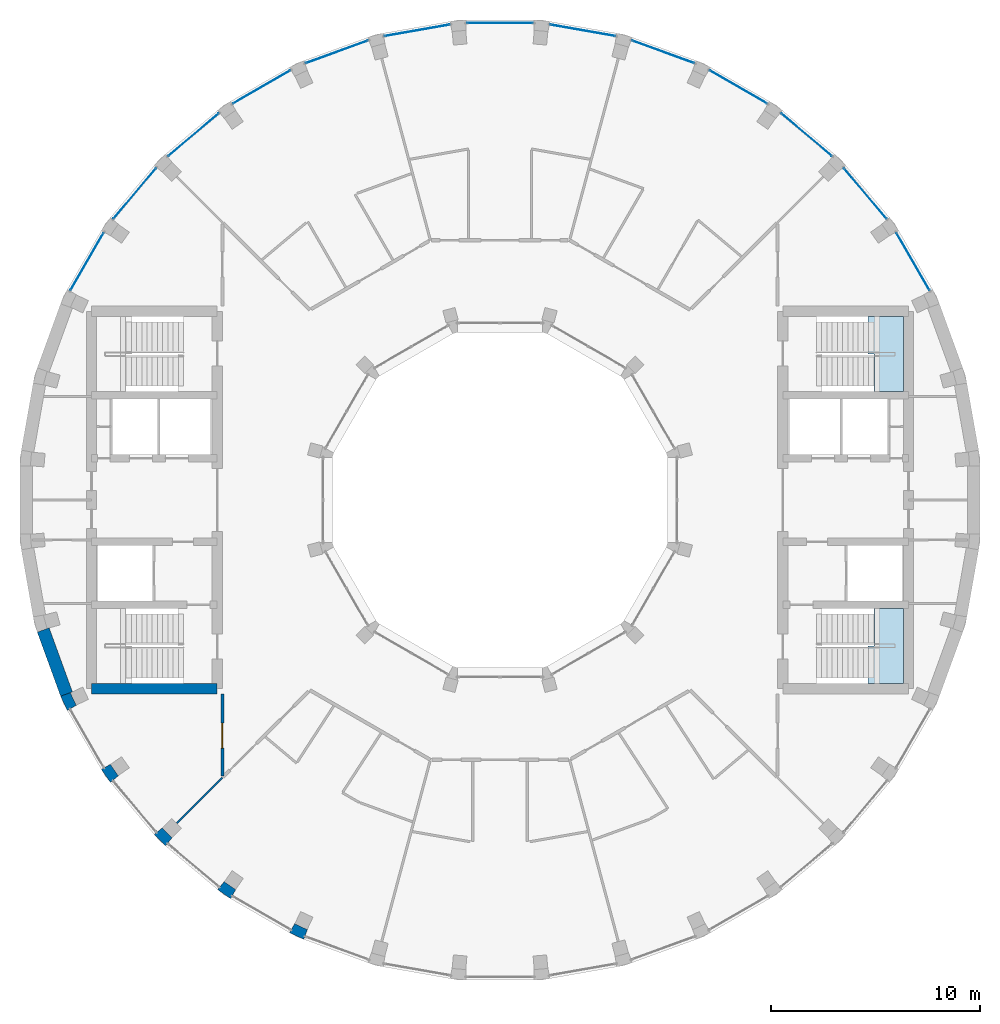
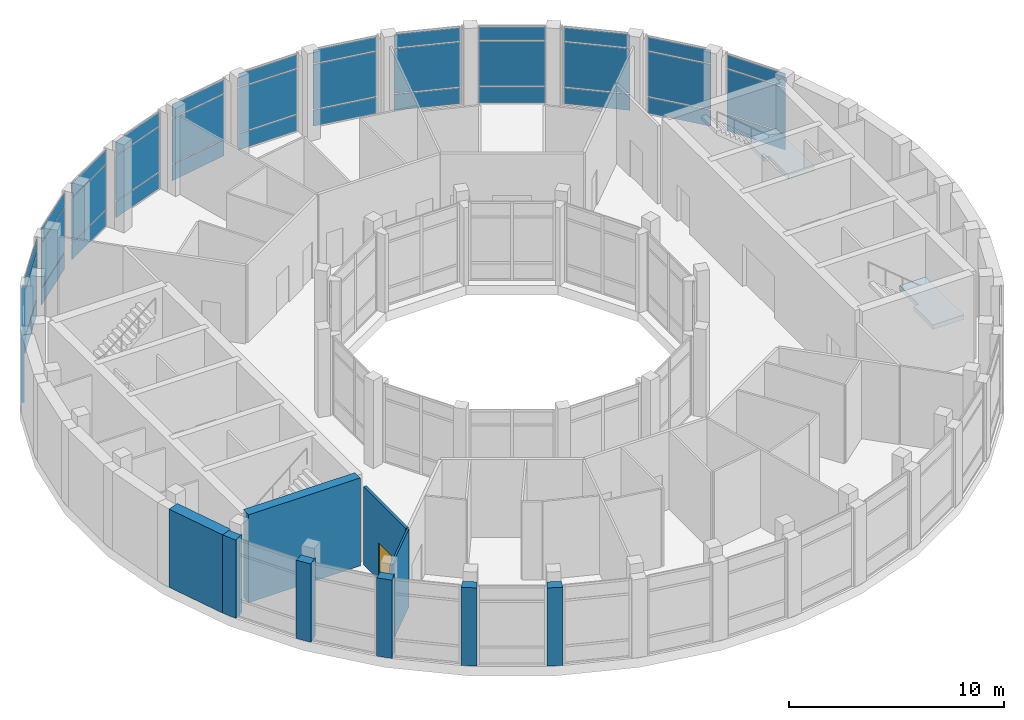
# One storey, part 10 of 16: 39 plates, 9 walls, 2 slabs, 1 door, 1 opening, 15 elements without a shape of their own.
"""IFC4 building model written with IfcOpenShell, lengths in metres."""

from ifc_helpers import new_model, si_unit, direction, frame, frame_2d, origin, origin_2d, place, context, subcontext, project, spatial, polyline, rectangle, outline, extrude, material, layer, layer_set, type_object, element, fill, aggregate, save


model = new_model("IFC4")

# Units and contexts
model_context = context("Model", 3, precision=1e-05, world=origin(), true_north=direction((0.0, 1.0)))
body_context = subcontext(model_context, "Body", "Model", "MODEL_VIEW")
ifc_project = project(units=[si_unit("LENGTHUNIT", "METRE"), si_unit("AREAUNIT", "SQUARE_METRE"), si_unit("VOLUMEUNIT", "CUBIC_METRE"), si_unit("PLANEANGLEUNIT", "RADIAN"), si_unit("MASSUNIT", "GRAM", prefix="KILO")], contexts=[model_context])

# Site, building, storey
site_placement = place(None, origin())
site = spatial("IfcSite", under=ifc_project, at=site_placement, CompositionType="ELEMENT")
building_placement = place(site_placement, origin())
building = spatial("IfcBuilding", under=site, at=building_placement, Name="Saqina Gate Tower", CompositionType="ELEMENT")
storey_placement = place(building_placement, frame((0.0, 0.0, 279.199951171875)))
storey = spatial("IfcBuildingStorey", under=building, at=storey_placement, Name="L80", CompositionType="ELEMENT", Elevation=279.199951171875)

# Curtain wall, plates
ifc_material_1 = material(Name="Aluminium glazing", Category="aluminium")
ifc_layer_1 = layer(ifc_material_1, 0.159912109375)
ifc_layer_set_1 = layer_set([ifc_layer_1], Name="CWT-2")
curtain_wall_type = type_object("IfcCurtainWallType", Name="CWT-2", PredefinedType="NOTDEFINED", material=ifc_layer_set_1)
curtain_wall_1_placement = place(storey_placement, origin())
curtain_wall_1 = element("IfcCurtainWall", 1, at=curtain_wall_1_placement, inside=storey, type_object=curtain_wall_type, Name="Sky lounge glazing facet 3", PredefinedType="NOTDEFINED")
ifc_material_2 = material(Name="Glass", Category="glass")
ifc_layer_2 = layer(ifc_material_2, 0.028076171875)
ifc_layer_set_2 = layer_set([ifc_layer_2], Name="CWT-2P")
plate_type = type_object("IfcPlateType", Name="CWT-2P", PredefinedType="CURTAIN_PANEL", material=ifc_layer_set_2)
plate_1_placement = place(storey_placement, frame((19.712890625, 11.38134765625, 0.06005859375), z_axis=(0.0, 0.0, 1.0), x_axis=(-0.499982449212, 0.8660355365, 0.0)))
plate_1 = element("IfcPlate", 2, at=plate_1_placement, type_object=plate_type, Name="CW2-03 panel 1.1", PredefinedType="CURTAIN_PANEL", context=body_context, shape_type="SweptSolid", body=[
    extrude(rectangle(XDim=3.1318359375, YDim=0.028076171875, at=origin_2d()), origin(), (0.0, 0.0, 1.0), 0.909912109375),
])
plate_2_placement = place(storey_placement, frame((19.712890625, 11.38134765625, 1.030029296875), z_axis=(0.0, 0.0, 1.0), x_axis=(-0.499982449212, 0.8660355365, 0.0)))
plate_2 = element("IfcPlate", 3, at=plate_2_placement, type_object=plate_type, Name="CW2-03 panel 1.2", PredefinedType="CURTAIN_PANEL", context=body_context, shape_type="SweptSolid", body=[
    extrude(rectangle(XDim=3.1318359375, YDim=0.028076171875, at=origin_2d()), origin(), (0.0, 0.0, 1.0), 2.5400390625),
])
plate_3_placement = place(storey_placement, frame((19.712890625, 11.38134765625, 3.6298828125), z_axis=(0.0, 0.0, 1.0), x_axis=(-0.499982449212, 0.8660355365, 0.0)))
plate_3 = element("IfcPlate", 4, at=plate_3_placement, type_object=plate_type, Name="CW2-03 panel 1.3", PredefinedType="CURTAIN_PANEL", context=body_context, shape_type="SweptSolid", body=[
    extrude(rectangle(XDim=3.1318359375, YDim=0.028076171875, at=origin_2d()), origin(), (0.0, 0.0, 1.0), 0.760009765625),
])
aggregate(curtain_wall_1, [plate_1, plate_2, plate_3])

curtain_wall_2_placement = place(storey_placement, origin())
curtain_wall_2 = element("IfcCurtainWall", 5, at=curtain_wall_2_placement, inside=storey, type_object=curtain_wall_type, Name="Sky lounge glazing facet 4", PredefinedType="NOTDEFINED")
plate_4_placement = place(storey_placement, frame((17.43701171875, 14.63134765625, 0.06005859375), z_axis=(0.0, 0.0, 1.0), x_axis=(-0.642785214609, 0.766046452821, 0.0)))
plate_4 = element("IfcPlate", 6, at=plate_4_placement, type_object=plate_type, Name="CW2-04 panel 1.1", PredefinedType="CURTAIN_PANEL", context=body_context, shape_type="SweptSolid", body=[
    extrude(rectangle(XDim=3.131591796875, YDim=0.028076171875, at=origin_2d()), origin(), (0.0, 0.0, 1.0), 0.909912109375),
])
plate_5_placement = place(storey_placement, frame((17.43701171875, 14.63134765625, 1.030029296875), z_axis=(0.0, 0.0, 1.0), x_axis=(-0.642785214609, 0.766046452821, 0.0)))
plate_5 = element("IfcPlate", 7, at=plate_5_placement, type_object=plate_type, Name="CW2-04 panel 1.2", PredefinedType="CURTAIN_PANEL", context=body_context, shape_type="SweptSolid", body=[
    extrude(rectangle(XDim=3.131591796875, YDim=0.028076171875, at=origin_2d()), origin(), (0.0, 0.0, 1.0), 2.5400390625),
])
plate_6_placement = place(storey_placement, frame((17.43701171875, 14.63134765625, 3.6298828125), z_axis=(0.0, 0.0, 1.0), x_axis=(-0.642785214609, 0.766046452821, 0.0)))
plate_6 = element("IfcPlate", 8, at=plate_6_placement, type_object=plate_type, Name="CW2-04 panel 1.3", PredefinedType="CURTAIN_PANEL", context=body_context, shape_type="SweptSolid", body=[
    extrude(rectangle(XDim=3.131591796875, YDim=0.028076171875, at=origin_2d()), origin(), (0.0, 0.0, 1.0), 0.760009765625),
])
aggregate(curtain_wall_2, [plate_4, plate_5, plate_6])

curtain_wall_3_placement = place(storey_placement, origin())
curtain_wall_3 = element("IfcCurtainWall", 9, at=curtain_wall_3_placement, inside=storey, type_object=curtain_wall_type, Name="Sky lounge glazing facet 5", PredefinedType="NOTDEFINED")
plate_7_placement = place(storey_placement, frame((14.63134765625, 17.43701171875, 0.06005859375), z_axis=(0.0, 0.0, 1.0), x_axis=(-0.766046452821, 0.642785214609, 0.0)))
plate_7 = element("IfcPlate", 10, at=plate_7_placement, type_object=plate_type, Name="CW2-05 panel 1.1", PredefinedType="CURTAIN_PANEL", context=body_context, shape_type="SweptSolid", body=[
    extrude(rectangle(XDim=3.131591796875, YDim=0.028076171875, at=origin_2d()), origin(), (0.0, 0.0, 1.0), 0.909912109375),
])
plate_8_placement = place(storey_placement, frame((14.63134765625, 17.43701171875, 1.030029296875), z_axis=(0.0, 0.0, 1.0), x_axis=(-0.766046452821, 0.642785214609, 0.0)))
plate_8 = element("IfcPlate", 11, at=plate_8_placement, type_object=plate_type, Name="CW2-05 panel 1.2", PredefinedType="CURTAIN_PANEL", context=body_context, shape_type="SweptSolid", body=[
    extrude(rectangle(XDim=3.131591796875, YDim=0.028076171875, at=origin_2d()), origin(), (0.0, 0.0, 1.0), 2.5400390625),
])
plate_9_placement = place(storey_placement, frame((14.63134765625, 17.43701171875, 3.6298828125), z_axis=(0.0, 0.0, 1.0), x_axis=(-0.766046452821, 0.642785214609, 0.0)))
plate_9 = element("IfcPlate", 12, at=plate_9_placement, type_object=plate_type, Name="CW2-05 panel 1.3", PredefinedType="CURTAIN_PANEL", context=body_context, shape_type="SweptSolid", body=[
    extrude(rectangle(XDim=3.131591796875, YDim=0.028076171875, at=origin_2d()), origin(), (0.0, 0.0, 1.0), 0.760009765625),
])
aggregate(curtain_wall_3, [plate_7, plate_8, plate_9])

curtain_wall_4_placement = place(storey_placement, origin())
curtain_wall_4 = element("IfcCurtainWall", 13, at=curtain_wall_4_placement, inside=storey, type_object=curtain_wall_type, Name="Sky lounge glazing facet 6", PredefinedType="NOTDEFINED")
plate_10_placement = place(storey_placement, frame((11.38134765625, 19.712890625, 0.06005859375), z_axis=(0.0, 0.0, 1.0), x_axis=(-0.8660355365, 0.499982449212, 0.0)))
plate_10 = element("IfcPlate", 14, at=plate_10_placement, type_object=plate_type, Name="CW2-06 panel 1.1", PredefinedType="CURTAIN_PANEL", context=body_context, shape_type="SweptSolid", body=[
    extrude(rectangle(XDim=3.1318359375, YDim=0.028076171875, at=origin_2d()), origin(), (0.0, 0.0, 1.0), 0.909912109375),
])
plate_11_placement = place(storey_placement, frame((11.38134765625, 19.712890625, 1.030029296875), z_axis=(0.0, 0.0, 1.0), x_axis=(-0.8660355365, 0.499982449212, 0.0)))
plate_11 = element("IfcPlate", 15, at=plate_11_placement, type_object=plate_type, Name="CW2-06 panel 1.2", PredefinedType="CURTAIN_PANEL", context=body_context, shape_type="SweptSolid", body=[
    extrude(rectangle(XDim=3.1318359375, YDim=0.028076171875, at=origin_2d()), origin(), (0.0, 0.0, 1.0), 2.5400390625),
])
plate_12_placement = place(storey_placement, frame((11.38134765625, 19.712890625, 3.6298828125), z_axis=(0.0, 0.0, 1.0), x_axis=(-0.8660355365, 0.499982449212, 0.0)))
plate_12 = element("IfcPlate", 16, at=plate_12_placement, type_object=plate_type, Name="CW2-06 panel 1.3", PredefinedType="CURTAIN_PANEL", context=body_context, shape_type="SweptSolid", body=[
    extrude(rectangle(XDim=3.1318359375, YDim=0.028076171875, at=origin_2d()), origin(), (0.0, 0.0, 1.0), 0.760009765625),
])
aggregate(curtain_wall_4, [plate_10, plate_11, plate_12])

curtain_wall_5_placement = place(storey_placement, origin())
curtain_wall_5 = element("IfcCurtainWall", 17, at=curtain_wall_5_placement, inside=storey, type_object=curtain_wall_type, Name="Sky lounge glazing facet 7", PredefinedType="NOTDEFINED")
plate_13_placement = place(storey_placement, frame((7.78515625, 21.3896484375, 0.06005859375), z_axis=(0.0, 0.0, 1.0), x_axis=(-0.939697310402, 0.342007258437, 0.0)))
plate_13 = element("IfcPlate", 18, at=plate_13_placement, type_object=plate_type, Name="CW2-07 panel 1.1", PredefinedType="CURTAIN_PANEL", context=body_context, shape_type="SweptSolid", body=[
    extrude(rectangle(XDim=3.131591796875, YDim=0.028076171875, at=origin_2d()), origin(), (0.0, 0.0, 1.0), 0.909912109375),
])
plate_14_placement = place(storey_placement, frame((7.78515625, 21.3896484375, 1.030029296875), z_axis=(0.0, 0.0, 1.0), x_axis=(-0.939697310402, 0.342007258437, 0.0)))
plate_14 = element("IfcPlate", 19, at=plate_14_placement, type_object=plate_type, Name="CW2-07 panel 1.2", PredefinedType="CURTAIN_PANEL", context=body_context, shape_type="SweptSolid", body=[
    extrude(rectangle(XDim=3.131591796875, YDim=0.028076171875, at=origin_2d()), origin(), (0.0, 0.0, 1.0), 2.5400390625),
])
plate_15_placement = place(storey_placement, frame((7.78515625, 21.3896484375, 3.6298828125), z_axis=(0.0, 0.0, 1.0), x_axis=(-0.939697310402, 0.342007258437, 0.0)))
plate_15 = element("IfcPlate", 20, at=plate_15_placement, type_object=plate_type, Name="CW2-07 panel 1.3", PredefinedType="CURTAIN_PANEL", context=body_context, shape_type="SweptSolid", body=[
    extrude(rectangle(XDim=3.131591796875, YDim=0.028076171875, at=origin_2d()), origin(), (0.0, 0.0, 1.0), 0.760009765625),
])
aggregate(curtain_wall_5, [plate_13, plate_14, plate_15])

curtain_wall_6_placement = place(storey_placement, origin())
curtain_wall_6 = element("IfcCurtainWall", 21, at=curtain_wall_6_placement, inside=storey, type_object=curtain_wall_type, Name="Sky lounge glazing facet 8", PredefinedType="NOTDEFINED")
plate_16_placement = place(storey_placement, frame((3.95263671875, 22.416748046875, 0.06005859375), z_axis=(0.0, 0.0, 1.0), x_axis=(-0.984805222779, 0.173662526718, 0.0)))
plate_16 = element("IfcPlate", 22, at=plate_16_placement, type_object=plate_type, Name="CW2-08 panel 1.1", PredefinedType="CURTAIN_PANEL", context=body_context, shape_type="SweptSolid", body=[
    extrude(rectangle(XDim=3.131591796875, YDim=0.028076171875, at=origin_2d()), origin(), (0.0, 0.0, 1.0), 0.909912109375),
])
plate_17_placement = place(storey_placement, frame((3.95263671875, 22.416748046875, 1.030029296875), z_axis=(0.0, 0.0, 1.0), x_axis=(-0.984805222779, 0.173662526718, 0.0)))
plate_17 = element("IfcPlate", 23, at=plate_17_placement, type_object=plate_type, Name="CW2-08 panel 1.2", PredefinedType="CURTAIN_PANEL", context=body_context, shape_type="SweptSolid", body=[
    extrude(rectangle(XDim=3.131591796875, YDim=0.028076171875, at=origin_2d()), origin(), (0.0, 0.0, 1.0), 2.5400390625),
])
plate_18_placement = place(storey_placement, frame((3.95263671875, 22.416748046875, 3.6298828125), z_axis=(0.0, 0.0, 1.0), x_axis=(-0.984805222779, 0.173662526718, 0.0)))
plate_18 = element("IfcPlate", 24, at=plate_18_placement, type_object=plate_type, Name="CW2-08 panel 1.3", PredefinedType="CURTAIN_PANEL", context=body_context, shape_type="SweptSolid", body=[
    extrude(rectangle(XDim=3.131591796875, YDim=0.028076171875, at=origin_2d()), origin(), (0.0, 0.0, 1.0), 0.760009765625),
])
aggregate(curtain_wall_6, [plate_16, plate_17, plate_18])

curtain_wall_7_placement = place(storey_placement, origin())
curtain_wall_7 = element("IfcCurtainWall", 25, at=curtain_wall_7_placement, inside=storey, type_object=curtain_wall_type, Name="Sky lounge glazing facet 9", PredefinedType="NOTDEFINED")
plate_19_placement = place(storey_placement, frame((0.0, 22.762451171875, 0.06005859375), z_axis=(0.0, 0.0, 1.0), x_axis=(-1.0, 0.0, 0.0)))
plate_19 = element("IfcPlate", 26, at=plate_19_placement, type_object=plate_type, Name="CW2-09 panel 1.1", PredefinedType="CURTAIN_PANEL", context=body_context, shape_type="SweptSolid", body=[
    extrude(rectangle(XDim=3.131591796875, YDim=0.028076171875, at=origin_2d()), origin(), (0.0, 0.0, 1.0), 0.909912109375),
])
plate_20_placement = place(storey_placement, frame((0.0, 22.762451171875, 1.030029296875), z_axis=(0.0, 0.0, 1.0), x_axis=(-1.0, 0.0, 0.0)))
plate_20 = element("IfcPlate", 27, at=plate_20_placement, type_object=plate_type, Name="CW2-09 panel 1.2", PredefinedType="CURTAIN_PANEL", context=body_context, shape_type="SweptSolid", body=[
    extrude(rectangle(XDim=3.131591796875, YDim=0.028076171875, at=origin_2d()), origin(), (0.0, 0.0, 1.0), 2.5400390625),
])
plate_21_placement = place(storey_placement, frame((0.0, 22.762451171875, 3.6298828125), z_axis=(0.0, 0.0, 1.0), x_axis=(-1.0, 0.0, 0.0)))
plate_21 = element("IfcPlate", 28, at=plate_21_placement, type_object=plate_type, Name="CW2-09 panel 1.3", PredefinedType="CURTAIN_PANEL", context=body_context, shape_type="SweptSolid", body=[
    extrude(rectangle(XDim=3.131591796875, YDim=0.028076171875, at=origin_2d()), origin(), (0.0, 0.0, 1.0), 0.760009765625),
])
aggregate(curtain_wall_7, [plate_19, plate_20, plate_21])

curtain_wall_8_placement = place(storey_placement, origin())
curtain_wall_8 = element("IfcCurtainWall", 29, at=curtain_wall_8_placement, inside=storey, type_object=curtain_wall_type, Name="Sky lounge glazing facet 10", PredefinedType="NOTDEFINED")
plate_22_placement = place(storey_placement, frame((-3.95263671875, 22.416748046875, 0.06005859375), z_axis=(0.0, 0.0, 1.0), x_axis=(-0.984805222779, -0.173662526718, 0.0)))
plate_22 = element("IfcPlate", 30, at=plate_22_placement, type_object=plate_type, Name="CW2-10 panel 1.1", PredefinedType="CURTAIN_PANEL", context=body_context, shape_type="SweptSolid", body=[
    extrude(rectangle(XDim=3.131591796875, YDim=0.028076171875, at=origin_2d()), origin(), (0.0, 0.0, 1.0), 0.909912109375),
])
plate_23_placement = place(storey_placement, frame((-3.95263671875, 22.416748046875, 1.030029296875), z_axis=(0.0, 0.0, 1.0), x_axis=(-0.984805222779, -0.173662526718, 0.0)))
plate_23 = element("IfcPlate", 31, at=plate_23_placement, type_object=plate_type, Name="CW2-10 panel 1.2", PredefinedType="CURTAIN_PANEL", context=body_context, shape_type="SweptSolid", body=[
    extrude(rectangle(XDim=3.131591796875, YDim=0.028076171875, at=origin_2d()), origin(), (0.0, 0.0, 1.0), 2.5400390625),
])
plate_24_placement = place(storey_placement, frame((-3.95263671875, 22.416748046875, 3.6298828125), z_axis=(0.0, 0.0, 1.0), x_axis=(-0.984805222779, -0.173662526718, 0.0)))
plate_24 = element("IfcPlate", 32, at=plate_24_placement, type_object=plate_type, Name="CW2-10 panel 1.3", PredefinedType="CURTAIN_PANEL", context=body_context, shape_type="SweptSolid", body=[
    extrude(rectangle(XDim=3.131591796875, YDim=0.028076171875, at=origin_2d()), origin(), (0.0, 0.0, 1.0), 0.760009765625),
])
aggregate(curtain_wall_8, [plate_22, plate_23, plate_24])

curtain_wall_9_placement = place(storey_placement, origin())
curtain_wall_9 = element("IfcCurtainWall", 33, at=curtain_wall_9_placement, inside=storey, type_object=curtain_wall_type, Name="Sky lounge glazing facet 11", PredefinedType="NOTDEFINED")
plate_25_placement = place(storey_placement, frame((-7.78515625, 21.3896484375, 0.06005859375), z_axis=(0.0, 0.0, 1.0), x_axis=(-0.939697310402, -0.342007258437, 0.0)))
plate_25 = element("IfcPlate", 34, at=plate_25_placement, type_object=plate_type, Name="CW2-11 panel 1.1", PredefinedType="CURTAIN_PANEL", context=body_context, shape_type="SweptSolid", body=[
    extrude(rectangle(XDim=3.131591796875, YDim=0.028076171875, at=origin_2d()), origin(), (0.0, 0.0, 1.0), 0.909912109375),
])
plate_26_placement = place(storey_placement, frame((-7.78515625, 21.3896484375, 1.030029296875), z_axis=(0.0, 0.0, 1.0), x_axis=(-0.939697310402, -0.342007258437, 0.0)))
plate_26 = element("IfcPlate", 35, at=plate_26_placement, type_object=plate_type, Name="CW2-11 panel 1.2", PredefinedType="CURTAIN_PANEL", context=body_context, shape_type="SweptSolid", body=[
    extrude(rectangle(XDim=3.131591796875, YDim=0.028076171875, at=origin_2d()), origin(), (0.0, 0.0, 1.0), 2.5400390625),
])
plate_27_placement = place(storey_placement, frame((-7.78515625, 21.3896484375, 3.6298828125), z_axis=(0.0, 0.0, 1.0), x_axis=(-0.939697310402, -0.342007258437, 0.0)))
plate_27 = element("IfcPlate", 36, at=plate_27_placement, type_object=plate_type, Name="CW2-11 panel 1.3", PredefinedType="CURTAIN_PANEL", context=body_context, shape_type="SweptSolid", body=[
    extrude(rectangle(XDim=3.131591796875, YDim=0.028076171875, at=origin_2d()), origin(), (0.0, 0.0, 1.0), 0.760009765625),
])
aggregate(curtain_wall_9, [plate_25, plate_26, plate_27])

curtain_wall_10_placement = place(storey_placement, origin())
curtain_wall_10 = element("IfcCurtainWall", 37, at=curtain_wall_10_placement, inside=storey, type_object=curtain_wall_type, Name="Sky lounge glazing facet 12", PredefinedType="NOTDEFINED")
plate_28_placement = place(storey_placement, frame((-11.38134765625, 19.712890625, 0.06005859375), z_axis=(0.0, 0.0, 1.0), x_axis=(-0.8660355365, -0.499982449212, 0.0)))
plate_28 = element("IfcPlate", 38, at=plate_28_placement, type_object=plate_type, Name="CW2-12 panel 1.1", PredefinedType="CURTAIN_PANEL", context=body_context, shape_type="SweptSolid", body=[
    extrude(rectangle(XDim=3.1318359375, YDim=0.028076171875, at=origin_2d()), origin(), (0.0, 0.0, 1.0), 0.909912109375),
])
plate_29_placement = place(storey_placement, frame((-11.38134765625, 19.712890625, 1.030029296875), z_axis=(0.0, 0.0, 1.0), x_axis=(-0.8660355365, -0.499982449212, 0.0)))
plate_29 = element("IfcPlate", 39, at=plate_29_placement, type_object=plate_type, Name="CW2-12 panel 1.2", PredefinedType="CURTAIN_PANEL", context=body_context, shape_type="SweptSolid", body=[
    extrude(rectangle(XDim=3.1318359375, YDim=0.028076171875, at=origin_2d()), origin(), (0.0, 0.0, 1.0), 2.5400390625),
])
plate_30_placement = place(storey_placement, frame((-11.38134765625, 19.712890625, 3.6298828125), z_axis=(0.0, 0.0, 1.0), x_axis=(-0.8660355365, -0.499982449212, 0.0)))
plate_30 = element("IfcPlate", 40, at=plate_30_placement, type_object=plate_type, Name="CW2-12 panel 1.3", PredefinedType="CURTAIN_PANEL", context=body_context, shape_type="SweptSolid", body=[
    extrude(rectangle(XDim=3.1318359375, YDim=0.028076171875, at=origin_2d()), origin(), (0.0, 0.0, 1.0), 0.760009765625),
])
aggregate(curtain_wall_10, [plate_28, plate_29, plate_30])

curtain_wall_11_placement = place(storey_placement, origin())
curtain_wall_11 = element("IfcCurtainWall", 41, at=curtain_wall_11_placement, inside=storey, type_object=curtain_wall_type, Name="Sky lounge glazing facet 13", PredefinedType="NOTDEFINED")
plate_31_placement = place(storey_placement, frame((-14.63134765625, 17.43701171875, 0.06005859375), z_axis=(0.0, 0.0, 1.0), x_axis=(-0.766046452821, -0.642785214609, 0.0)))
plate_31 = element("IfcPlate", 42, at=plate_31_placement, type_object=plate_type, Name="CW2-13 panel 1.1", PredefinedType="CURTAIN_PANEL", context=body_context, shape_type="SweptSolid", body=[
    extrude(rectangle(XDim=3.131591796875, YDim=0.028076171875, at=origin_2d()), origin(), (0.0, 0.0, 1.0), 0.909912109375),
])
plate_32_placement = place(storey_placement, frame((-14.63134765625, 17.43701171875, 1.030029296875), z_axis=(0.0, 0.0, 1.0), x_axis=(-0.766046452821, -0.642785214609, 0.0)))
plate_32 = element("IfcPlate", 43, at=plate_32_placement, type_object=plate_type, Name="CW2-13 panel 1.2", PredefinedType="CURTAIN_PANEL", context=body_context, shape_type="SweptSolid", body=[
    extrude(rectangle(XDim=3.131591796875, YDim=0.028076171875, at=origin_2d()), origin(), (0.0, 0.0, 1.0), 2.5400390625),
])
plate_33_placement = place(storey_placement, frame((-14.63134765625, 17.43701171875, 3.6298828125), z_axis=(0.0, 0.0, 1.0), x_axis=(-0.766046452821, -0.642785214609, 0.0)))
plate_33 = element("IfcPlate", 44, at=plate_33_placement, type_object=plate_type, Name="CW2-13 panel 1.3", PredefinedType="CURTAIN_PANEL", context=body_context, shape_type="SweptSolid", body=[
    extrude(rectangle(XDim=3.131591796875, YDim=0.028076171875, at=origin_2d()), origin(), (0.0, 0.0, 1.0), 0.760009765625),
])
aggregate(curtain_wall_11, [plate_31, plate_32, plate_33])

curtain_wall_12_placement = place(storey_placement, origin())
curtain_wall_12 = element("IfcCurtainWall", 45, at=curtain_wall_12_placement, inside=storey, type_object=curtain_wall_type, Name="Sky lounge glazing facet 14", PredefinedType="NOTDEFINED")
plate_34_placement = place(storey_placement, frame((-17.43701171875, 14.63134765625, 0.06005859375), z_axis=(0.0, 0.0, 1.0), x_axis=(-0.642785214609, -0.766046452821, 0.0)))
plate_34 = element("IfcPlate", 46, at=plate_34_placement, type_object=plate_type, Name="CW2-14 panel 1.1", PredefinedType="CURTAIN_PANEL", context=body_context, shape_type="SweptSolid", body=[
    extrude(rectangle(XDim=3.131591796875, YDim=0.028076171875, at=origin_2d()), origin(), (0.0, 0.0, 1.0), 0.909912109375),
])
plate_35_placement = place(storey_placement, frame((-17.43701171875, 14.63134765625, 1.030029296875), z_axis=(0.0, 0.0, 1.0), x_axis=(-0.642785214609, -0.766046452821, 0.0)))
plate_35 = element("IfcPlate", 47, at=plate_35_placement, type_object=plate_type, Name="CW2-14 panel 1.2", PredefinedType="CURTAIN_PANEL", context=body_context, shape_type="SweptSolid", body=[
    extrude(rectangle(XDim=3.131591796875, YDim=0.028076171875, at=origin_2d()), origin(), (0.0, 0.0, 1.0), 2.5400390625),
])
plate_36_placement = place(storey_placement, frame((-17.43701171875, 14.63134765625, 3.6298828125), z_axis=(0.0, 0.0, 1.0), x_axis=(-0.642785214609, -0.766046452821, 0.0)))
plate_36 = element("IfcPlate", 48, at=plate_36_placement, type_object=plate_type, Name="CW2-14 panel 1.3", PredefinedType="CURTAIN_PANEL", context=body_context, shape_type="SweptSolid", body=[
    extrude(rectangle(XDim=3.131591796875, YDim=0.028076171875, at=origin_2d()), origin(), (0.0, 0.0, 1.0), 0.760009765625),
])
aggregate(curtain_wall_12, [plate_34, plate_35, plate_36])

curtain_wall_13_placement = place(storey_placement, origin())
curtain_wall_13 = element("IfcCurtainWall", 49, at=curtain_wall_13_placement, inside=storey, type_object=curtain_wall_type, Name="Sky lounge glazing facet 15", PredefinedType="NOTDEFINED")
plate_37_placement = place(storey_placement, frame((-19.712890625, 11.38134765625, 0.06005859375), z_axis=(0.0, 0.0, 1.0), x_axis=(-0.499982449212, -0.8660355365, 0.0)))
plate_37 = element("IfcPlate", 50, at=plate_37_placement, type_object=plate_type, Name="CW2-15 panel 1.1", PredefinedType="CURTAIN_PANEL", context=body_context, shape_type="SweptSolid", body=[
    extrude(rectangle(XDim=3.1318359375, YDim=0.028076171875, at=origin_2d()), origin(), (0.0, 0.0, 1.0), 0.909912109375),
])
plate_38_placement = place(storey_placement, frame((-19.712890625, 11.38134765625, 1.030029296875), z_axis=(0.0, 0.0, 1.0), x_axis=(-0.499982449212, -0.8660355365, 0.0)))
plate_38 = element("IfcPlate", 51, at=plate_38_placement, type_object=plate_type, Name="CW2-15 panel 1.2", PredefinedType="CURTAIN_PANEL", context=body_context, shape_type="SweptSolid", body=[
    extrude(rectangle(XDim=3.1318359375, YDim=0.028076171875, at=origin_2d()), origin(), (0.0, 0.0, 1.0), 2.5400390625),
])
plate_39_placement = place(storey_placement, frame((-19.712890625, 11.38134765625, 3.6298828125), z_axis=(0.0, 0.0, 1.0), x_axis=(-0.499982449212, -0.8660355365, 0.0)))
plate_39 = element("IfcPlate", 52, at=plate_39_placement, type_object=plate_type, Name="CW2-15 panel 1.3", PredefinedType="CURTAIN_PANEL", context=body_context, shape_type="SweptSolid", body=[
    extrude(rectangle(XDim=3.1318359375, YDim=0.028076171875, at=origin_2d()), origin(), (0.0, 0.0, 1.0), 0.760009765625),
])
aggregate(curtain_wall_13, [plate_37, plate_38, plate_39])

# Stair, slab
ifc_material_3 = material(Name="Concrete C40/50", Category="concrete")
stair_type = type_object("IfcStairType", Name="EXIT STAIR", PredefinedType="HALF_TURN_STAIR", material=ifc_material_3)
stair_1_placement = place(storey_placement, origin())
stair_1 = element("IfcStair", 53, at=stair_1_placement, inside=storey, type_object=stair_type, Name="EXIT STAIR 1", PredefinedType="HALF_TURN_STAIR")
ifc_material_4 = material(Name="Concrete C40/50", Category="concrete")
ifc_layer_3 = layer(ifc_material_4, 0.25)
ifc_layer_set_3 = layer_set([ifc_layer_3], Name="Concrete C40/50")
slab_type = type_object("IfcSlabType", Name="EXIT STAIR LANDING", PredefinedType="LANDING", material=ifc_layer_set_3)
slab_1_placement = place(storey_placement, frame((0.0, 0.0, 2.25)))
slab_1 = element("IfcSlab", 54, at=slab_1_placement, type_object=slab_type, Name="EXIT STAIR 1 LANDING 1", PredefinedType="LANDING", context=body_context, shape_type="SweptSolid", body=[
    extrude(outline(polyline([(19.25, 8.75), (19.25, 5.175048828125), (17.844970703125, 5.175048828125), (17.844970703125, 6.96240234375), (17.57568359375, 6.96240234375), (17.57568359375, 8.75), (17.844970703125, 8.75), (17.85009765625, 8.75), (19.25, 8.75)])), origin(), (0.0, 0.0, 1.0), 0.25),
])
aggregate(stair_1, [slab_1])

stair_2_placement = place(storey_placement, origin())
stair_2 = element("IfcStair", 55, at=stair_2_placement, inside=storey, type_object=stair_type, Name="EXIT STAIR 2", PredefinedType="HALF_TURN_STAIR")
slab_2_placement = place(storey_placement, frame((0.0, 0.0, 2.25)))
slab_2 = element("IfcSlab", 56, at=slab_2_placement, type_object=slab_type, Name="EXIT STAIR 2 LANDING 1", PredefinedType="LANDING", context=body_context, shape_type="SweptSolid", body=[
    extrude(outline(polyline([(17.57568359375, -8.75), (17.57568359375, -6.96240234375), (17.844970703125, -6.96240234375), (17.844970703125, -5.175048828125), (19.25, -5.175048828125), (19.25, -8.75), (17.85009765625, -8.75), (17.844970703125, -8.75), (17.57568359375, -8.75)])), origin(), (0.0, 0.0, 1.0), 0.25),
])
aggregate(stair_2, [slab_2])

# Walls
ifc_material_5 = material(Name="Brick masonry (buff)", Category="masonry")
wall_type_1 = type_object("IfcWallType", Name="BRICK PIER COPING BUFF", PredefinedType="SOLIDWALL", material=ifc_material_5)
wall_1_placement = place(storey_placement, origin())
element("IfcWall", 57, at=wall_1_placement, inside=storey, type_object=wall_type_1, Name="Pier cap L80 column 21", PredefinedType="SOLIDWALL", context=body_context, shape_type="SweptSolid", body=[
    extrude(outline(polyline([(-20.974609375, -9.3642578125), (-20.65576171875, -10.048095703125), (-20.135986328125, -9.748291015625), (-20.23193359375, -9.79296875), (-20.506591796875, -9.203857421875), (-20.410888671875, -9.1591796875), (-20.974609375, -9.3642578125)])), origin(), (0.0, 0.0, 1.0), 4.449951171875),
])
wall_2_placement = place(storey_placement, origin())
element("IfcWall", 58, at=wall_2_placement, inside=storey, type_object=wall_type_1, Name="Pier cap L80 column 22", PredefinedType="SOLIDWALL", context=body_context, shape_type="SweptSolid", body=[
    extrude(outline(polyline([(-19.02978515625, -12.8642578125), (-18.59716796875, -13.482421875), (-18.137451171875, -13.0966796875), (-18.22412109375, -13.157470703125), (-18.596923828125, -12.625), (-18.51025390625, -12.564208984375), (-19.02978515625, -12.8642578125)])), origin(), (0.0, 0.0, 1.0), 4.449951171875),
])
wall_3_placement = place(storey_placement, origin())
element("IfcWall", 59, at=wall_3_placement, inside=storey, type_object=wall_type_1, Name="Pier cap L80 column 23", PredefinedType="SOLIDWALL", context=body_context, shape_type="SweptSolid", body=[
    extrude(outline(polyline([(-15.973388671875, -16.5068359375), (-15.587646484375, -16.04736328125), (-15.662353515625, -16.1220703125), (-16.1220703125, -15.662353515625), (-16.04736328125, -15.587646484375), (-16.5068359375, -15.973388671875), (-15.973388671875, -16.5068359375)])), origin(), (0.0, 0.0, 1.0), 4.449951171875),
])
wall_4_placement = place(storey_placement, origin())
element("IfcWall", 60, at=wall_4_placement, inside=storey, type_object=wall_type_1, Name="Pier cap L80 column 24", PredefinedType="SOLIDWALL", context=body_context, shape_type="SweptSolid", body=[
    extrude(outline(polyline([(-12.8642578125, -19.02978515625), (-12.564208984375, -18.51025390625), (-12.625, -18.596923828125), (-13.157470703125, -18.22412109375), (-13.0966796875, -18.137451171875), (-13.482421875, -18.59716796875), (-12.8642578125, -19.02978515625)])), origin(), (0.0, 0.0, 1.0), 4.449951171875),
])
wall_5_placement = place(storey_placement, origin())
element("IfcWall", 61, at=wall_5_placement, inside=storey, type_object=wall_type_1, Name="Pier cap L80 column 25", PredefinedType="SOLIDWALL", context=body_context, shape_type="SweptSolid", body=[
    extrude(outline(polyline([(-10.048095703125, -20.65576171875), (-9.3642578125, -20.974609375), (-9.1591796875, -20.410888671875), (-9.203857421875, -20.506591796875), (-9.79296875, -20.23193359375), (-9.748291015625, -20.135986328125), (-10.048095703125, -20.65576171875)])), origin(), (0.0, 0.0, 1.0), 4.449951171875),
])
ifc_material_6 = material(Name="Glazed ceramic tile (white)", Category="ceramic")
ifc_layer_4 = layer(ifc_material_6, 0.60009765625)
ifc_layer_set_4 = layer_set([ifc_layer_4], Name="FW-TILE-WH")
wall_type_2 = type_object("IfcWallType", Name="FW-TILE-WH", PredefinedType="SOLIDWALL", material=ifc_layer_set_4)
wall_6_placement = place(storey_placement, frame((-21.804931640625, -6.2060546875, 0.0), z_axis=(0.0, 0.0, 1.0), x_axis=(0.342056509473, -0.939679383794, 0.0)))
element("IfcWall", 62, at=wall_6_placement, inside=storey, type_object=wall_type_2, Name="Facade wall L80 facet 20", PredefinedType="SOLIDWALL", context=body_context, shape_type="SweptSolid", body=[
    extrude(rectangle(XDim=3.251708984375, YDim=0.60009765625, at=frame_2d((1.6259765625, 0.0))), origin(), (0.0, 0.0, 1.0), 4.449951171875),
])
ifc_material_7 = material(Name="Gypsum board on steel studs, 100 mm", Category="steel")
ifc_layer_5 = layer(ifc_material_7, 0.10009765625)
ifc_layer_set_5 = layer_set([ifc_layer_5], Name="SPECIAL PARTITION 100")
wall_type_3 = type_object("IfcWallType", Name="SPECIAL PARTITION 100", PredefinedType="PARTITIONING", material=ifc_layer_set_5)
wall_7_placement = place(storey_placement, frame((-15.425537109375, -15.425537109375, 0.0), z_axis=(0.0, 0.0, 1.0), x_axis=(0.707106781187, 0.707106781187, 0.0)))
element("IfcWall", 63, at=wall_7_placement, inside=storey, type_object=wall_type_3, Name="PARTITION 031", PredefinedType="PARTITIONING", context=body_context, shape_type="SweptSolid", body=[
    extrude(rectangle(XDim=3.07666015625, YDim=0.10009765625, at=frame_2d((1.538330078125, 0.0))), origin(), (0.0, 0.0, 1.0), 4.449951171875),
])

# Wall, opening, door
ifc_material_8 = material(Name="Gypsum board on steel studs, 150 mm, fire rated", Category="steel")
ifc_layer_6 = layer(ifc_material_8, 0.14990234375)
ifc_layer_set_6 = layer_set([ifc_layer_6], Name="SPECIAL PARTITION EI 30 150")
wall_type_4 = type_object("IfcWallType", Name="SPECIAL PARTITION EI 30 150", PredefinedType="PARTITIONING", material=ifc_layer_set_6)
wall_8_placement = place(storey_placement, frame((-13.25, -13.175048828125, 0.0), z_axis=(0.0, 0.0, 1.0), x_axis=(0.0, 1.0, 0.0)))
wall_8 = element("IfcWall", 64, at=wall_8_placement, inside=storey, type_object=wall_type_4, Name="PARTITION 047", PredefinedType="PARTITIONING", context=body_context, shape_type="SweptSolid", body=[
    extrude(rectangle(XDim=3.925048828125, YDim=0.14990234375, at=frame_2d((1.96240234375, 0.0))), origin(), (0.0, 0.0, 1.0), 4.449951171875),
])
opening_placement = place(wall_8_placement, frame((1.324951171875, 0.0, 0.0)))
opening = element("IfcOpeningElement", 65, at=opening_placement, cuts=wall_8, Name="Opening L80-D13", PredefinedType="OPENING", context=body_context, shape_type="SweptSolid", body=[
    extrude(rectangle(XDim=1.199951171875, YDim=2.10009765625, at=frame_2d((0.60009765625, 1.050048828125))), frame((0.0, 0.0869140625, 0.0), z_axis=(0.0, -1.0, 0.0), x_axis=(1.0, 0.0, 0.0)), (0.0, 0.0, 1.0), 0.173828125),
])
ifc_material_9 = material(Name="Steel-framed fire door leaf, EI 30", Category="steel")
door_type = type_object("IfcDoorType", Name="SPECIAL DOOR 1200 FIRE EI 30", OperationType="SINGLE_SWING_LEFT", PredefinedType="DOOR", material=ifc_material_9)
door_placement = place(opening_placement, origin())
door = element("IfcDoor", 66, at=door_placement, inside=storey, type_object=door_type, Name="DOOR L80-D13", OperationType="SINGLE_SWING_LEFT", OverallHeight=2.10009765625, OverallWidth=1.199951171875, PredefinedType="DOOR", context=body_context, shape_type="SweptSolid", body=[
    extrude(rectangle(XDim=1.199951171875, YDim=2.10009765625, at=frame_2d((0.60009765625, 1.050048828125))), frame((0.0, 0.02490234375, 0.0), z_axis=(0.0, -1.0, 0.0), x_axis=(1.0, 0.0, 0.0)), (0.0, 0.0, 1.0), 0.050048828125),
])
fill(opening, door)

# Wall
ifc_material_10 = material(Name="Concrete C60/75", Category="concrete")
ifc_layer_7 = layer(ifc_material_10, 0.5)
ifc_layer_set_7 = layer_set([ifc_layer_7], Name="Concrete C60/75")
wall_type_5 = type_object("IfcWallType", Name="STR-CORE WALL-D-O", PredefinedType="SHEAR", material=ifc_layer_set_7)
wall_9_placement = place(storey_placement, frame((-13.5, -9.0, 0.0), z_axis=(0.0, 0.0, 1.0), x_axis=(-1.0, 0.0, 0.0)))
element("IfcWall", 67, at=wall_9_placement, inside=storey, type_object=wall_type_5, Name="CORE WALL L80 W-SE", PredefinedType="SHEAR", context=body_context, shape_type="SweptSolid", body=[
    extrude(rectangle(XDim=6.0, YDim=0.5, at=frame_2d((3.0, 0.0))), origin(), (0.0, 0.0, 1.0), 5.0),
])

save(model, "model.ifc")
